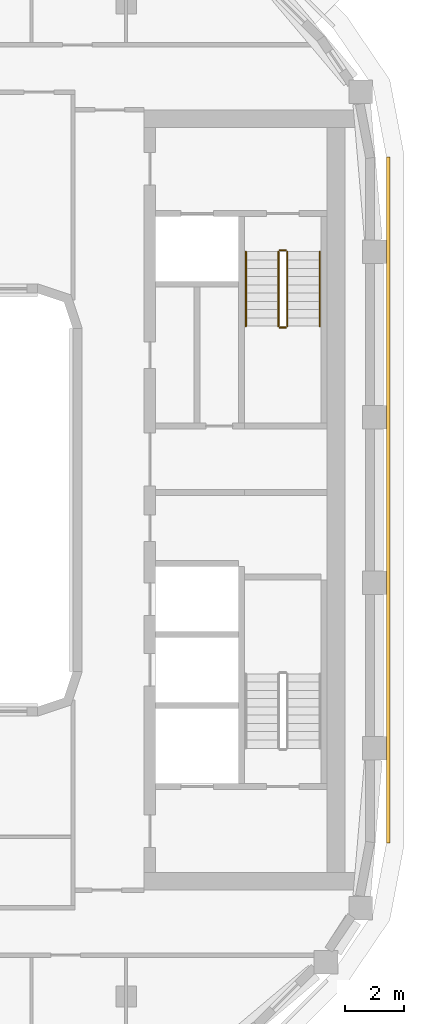
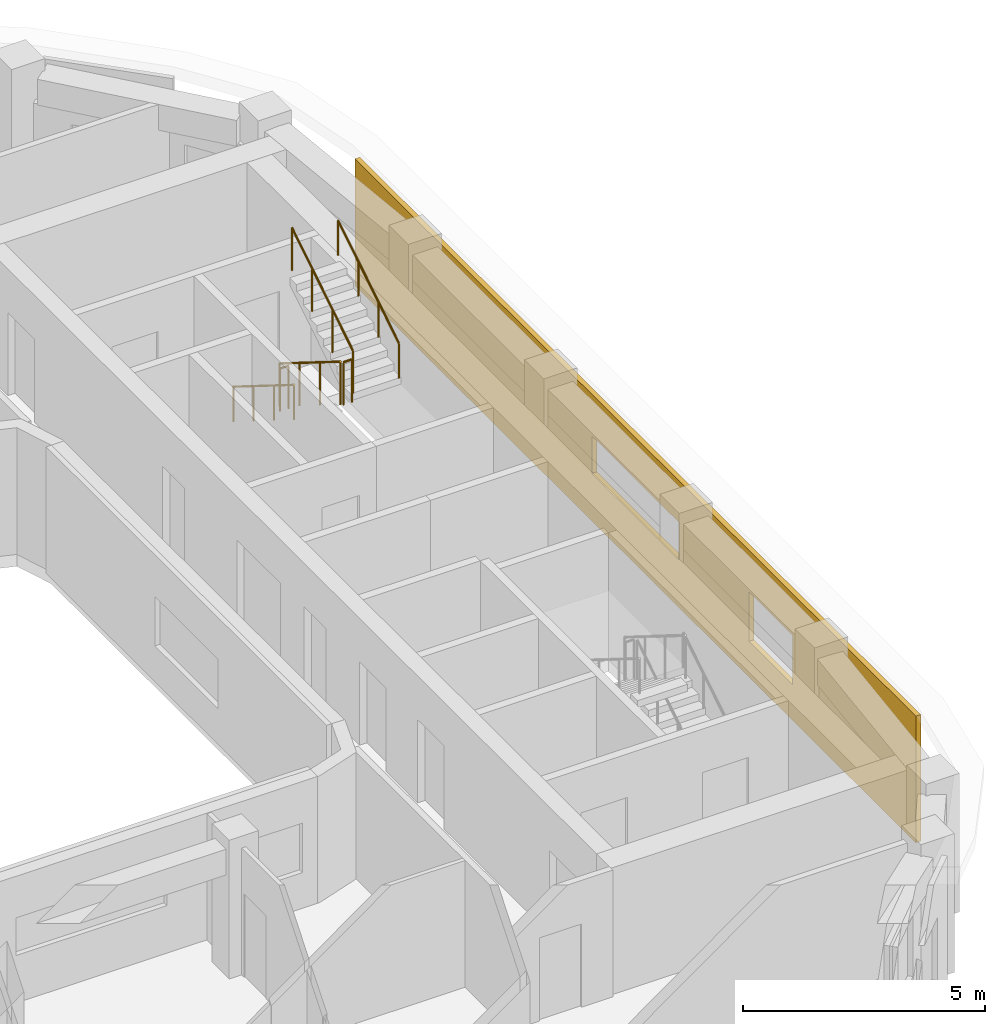
# One storey, part 17 of 18: 6 railings, 1 covering.
"""IFC4 building model written with IfcOpenShell, lengths in metres."""

from ifc_helpers import new_model, si_unit, direction, frame, origin, origin_2d, place, context, subcontext, project, spatial, polyline, circle, outline, extrude, material, layer, layer_set, type_object, element, save


model = new_model("IFC4")

# Units and contexts
model_context = context("Model", 3, precision=1e-05, world=origin(), true_north=direction((0.0, 1.0)))
body_context = subcontext(model_context, "Body", "Model", "MODEL_VIEW")
ifc_project = project(units=[si_unit("LENGTHUNIT", "METRE"), si_unit("AREAUNIT", "SQUARE_METRE"), si_unit("VOLUMEUNIT", "CUBIC_METRE"), si_unit("PLANEANGLEUNIT", "RADIAN"), si_unit("MASSUNIT", "GRAM", prefix="KILO")], contexts=[model_context])

# Site, building, storey
site_placement = place(None, origin())
site = spatial("IfcSite", under=ifc_project, at=site_placement, CompositionType="ELEMENT")
building_placement = place(site_placement, origin())
building = spatial("IfcBuilding", under=site, at=building_placement, Name="Kiln Ring Residences", CompositionType="ELEMENT")
storey_placement = place(building_placement, frame((0.0, 0.0, 262.699951171875)))
storey = spatial("IfcBuildingStorey", under=building, at=storey_placement, Name="L68", CompositionType="ELEMENT", Elevation=262.699951171875)

# Railings
ifc_material_1 = material(Name="Stainless steel", Category="steel")
railing_type_1 = type_object("IfcRailingType", Name="CORE-STAIR-GUARD", PredefinedType="GUARDRAIL", material=ifc_material_1)
railing_1_placement = place(storey_placement, frame((21.949951171875, 8.39990234375, 0.175048828125)))
element("IfcRailing", 1, at=railing_1_placement, inside=storey, type_object=railing_type_1, Name="L68 E-STN stair guard 1", PredefinedType="GUARDRAIL", context=body_context, shape_type="SweptSolid", body=[
    extrude(circle(Radius=0.02392578125, at=origin_2d()), frame((0.0, 0.0, 1.076171875), z_axis=(0.0, -0.848007534815, 0.529984170421), x_axis=(1.0, 0.0, 0.0)), (0.0, 0.0, 1.0), 2.9716796875),
    extrude(circle(Radius=0.02099609375, at=origin_2d()), origin(), (0.0, 0.0, 1.0), 1.052001953125),
    extrude(circle(Radius=0.02099609375, at=origin_2d()), frame((0.0, -0.840087890625, 0.52490234375)), (0.0, 0.0, 1.0), 1.052001953125),
    extrude(circle(Radius=0.02099609375, at=origin_2d()), frame((0.0, -1.679931640625, 1.050048828125)), (0.0, 0.0, 1.0), 1.052001953125),
    extrude(circle(Radius=0.02099609375, at=origin_2d()), frame((0.0, -2.52001953125, 1.574951171875)), (0.0, 0.0, 1.0), 1.052001953125),
])
railing_2_placement = place(storey_placement, frame((22.0, 5.830078125, 1.75)))
element("IfcRailing", 2, at=railing_2_placement, inside=storey, type_object=railing_type_1, Name="L68 E-STN stair guard 2", PredefinedType="GUARDRAIL", context=body_context, shape_type="SweptSolid", body=[
    extrude(circle(Radius=0.02392578125, at=origin_2d()), frame((0.0, 0.0, 1.076171875), z_axis=(1.0, 0.0, 0.0), x_axis=(0.0, 1.0, 0.0)), (0.0, 0.0, 1.0), 0.199951171875),
    extrude(circle(Radius=0.02099609375, at=origin_2d()), origin(), (0.0, 0.0, 1.0), 1.052001953125),
    extrude(circle(Radius=0.02099609375, at=origin_2d()), frame((0.199951171875, 0.0, 0.0)), (0.0, 0.0, 1.0), 1.052001953125),
])
railing_3_placement = place(storey_placement, frame((22.25, 5.8798828125, 1.925048828125)))
element("IfcRailing", 3, at=railing_3_placement, inside=storey, type_object=railing_type_1, Name="L68 E-STN stair guard 3", PredefinedType="GUARDRAIL", context=body_context, shape_type="SweptSolid", body=[
    extrude(circle(Radius=0.02392578125, at=origin_2d()), frame((0.0, 0.0, 1.076171875), z_axis=(0.0, 0.848007534815, 0.529984170421), x_axis=(-1.0, 0.0, 0.0)), (0.0, 0.0, 1.0), 2.9716796875),
    extrude(circle(Radius=0.02099609375, at=origin_2d()), origin(), (0.0, 0.0, 1.0), 1.052001953125),
    extrude(circle(Radius=0.02099609375, at=origin_2d()), frame((0.0, 0.840087890625, 0.52490234375)), (0.0, 0.0, 1.0), 1.052001953125),
    extrude(circle(Radius=0.02099609375, at=origin_2d()), frame((0.0, 1.679931640625, 1.050048828125)), (0.0, 0.0, 1.0), 1.052001953125),
    extrude(circle(Radius=0.02099609375, at=origin_2d()), frame((0.0, 2.52001953125, 1.574951171875)), (0.0, 0.0, 1.0), 1.052001953125),
])
railing_4_placement = place(storey_placement, frame((22.0, 8.449951171875, 0.0)))
element("IfcRailing", 4, at=railing_4_placement, inside=storey, type_object=railing_type_1, Name="L68 E-STN stair guard 4", PredefinedType="GUARDRAIL", context=body_context, shape_type="SweptSolid", body=[
    extrude(circle(Radius=0.02392578125, at=origin_2d()), frame((0.0, 0.0, 1.076171875), z_axis=(1.0, 0.0, 0.0), x_axis=(0.0, 1.0, 0.0)), (0.0, 0.0, 1.0), 0.199951171875),
    extrude(circle(Radius=0.02099609375, at=origin_2d()), origin(), (0.0, 0.0, 1.0), 1.052001953125),
    extrude(circle(Radius=0.02099609375, at=origin_2d()), frame((0.199951171875, 0.0, 0.0)), (0.0, 0.0, 1.0), 1.052001953125),
])
ifc_material_2 = material(Name="Stainless steel", Category="steel")
railing_type_2 = type_object("IfcRailingType", Name="CORE-STAIR-HANDRAIL", PredefinedType="HANDRAIL", material=ifc_material_2)
railing_5_placement = place(storey_placement, frame((20.85009765625, 8.39990234375, 0.175048828125)))
element("IfcRailing", 5, at=railing_5_placement, inside=storey, type_object=railing_type_2, Name="L68 E-STN stair handrail 1", PredefinedType="HANDRAIL", context=body_context, shape_type="SweptSolid", body=[
    extrude(circle(Radius=0.02392578125, at=origin_2d()), frame((0.0, 0.0, 0.8759765625), z_axis=(0.0, -0.848007534815, 0.529984170421), x_axis=(1.0, 0.0, 0.0)), (0.0, 0.0, 1.0), 2.9716796875),
    extrude(circle(Radius=0.02099609375, at=origin_2d()), origin(), (0.0, 0.0, 1.0), 0.851806640625),
    extrude(circle(Radius=0.02099609375, at=origin_2d()), frame((0.0, -0.840087890625, 0.52490234375)), (0.0, 0.0, 1.0), 0.851806640625),
    extrude(circle(Radius=0.02099609375, at=origin_2d()), frame((0.0, -1.679931640625, 1.050048828125)), (0.0, 0.0, 1.0), 0.851806640625),
    extrude(circle(Radius=0.02099609375, at=origin_2d()), frame((0.0, -2.52001953125, 1.574951171875)), (0.0, 0.0, 1.0), 0.851806640625),
])
railing_6_placement = place(storey_placement, frame((23.35009765625, 5.8798828125, 1.925048828125)))
element("IfcRailing", 6, at=railing_6_placement, inside=storey, type_object=railing_type_2, Name="L68 E-STN stair handrail 2", PredefinedType="HANDRAIL", context=body_context, shape_type="SweptSolid", body=[
    extrude(circle(Radius=0.02392578125, at=origin_2d()), frame((0.0, 0.0, 0.8759765625), z_axis=(0.0, 0.848007534815, 0.529984170421), x_axis=(-1.0, 0.0, 0.0)), (0.0, 0.0, 1.0), 2.9716796875),
    extrude(circle(Radius=0.02099609375, at=origin_2d()), origin(), (0.0, 0.0, 1.0), 0.851806640625),
    extrude(circle(Radius=0.02099609375, at=origin_2d()), frame((0.0, 0.840087890625, 0.52490234375)), (0.0, 0.0, 1.0), 0.851806640625),
    extrude(circle(Radius=0.02099609375, at=origin_2d()), frame((0.0, 1.679931640625, 1.050048828125)), (0.0, 0.0, 1.0), 0.851806640625),
    extrude(circle(Radius=0.02099609375, at=origin_2d()), frame((0.0, 2.52001953125, 1.574951171875)), (0.0, 0.0, 1.0), 0.851806640625),
])

# Covering
ifc_material_3 = material(Name="Brick masonry, dark clay brick", Category="masonry")
ifc_layer = layer(ifc_material_3, 0.1201171875)
ifc_layer_set = layer_set([ifc_layer], Name="RAINSCREEN PANEL 120")
covering_type = type_object("IfcCoveringType", Name="RAINSCREEN PANEL 120", PredefinedType="CLADDING", material=ifc_layer_set)
covering_placement = place(storey_placement, frame((25.659912109375, -11.60009765625, 0.0), z_axis=(0.0, 0.0, 1.0), x_axis=(0.0, 1.0, 0.0)))
element("IfcCovering", 7, at=covering_placement, inside=storey, type_object=covering_type, Name="RAINSCREEN L68", PredefinedType="CLADDING", context=body_context, shape_type="SweptSolid", body=[
    extrude(outline(polyline([(0.0, 0.0), (23.199951171875, 0.0), (23.199951171875, 3.199951171875), (0.0, 3.199951171875), (0.0, 0.0)]), holes=[polyline([(6.89990234375, 2.150146484375), (5.10009765625, 2.150146484375), (5.10009765625, 0.900146484375), (6.89990234375, 0.900146484375), (6.89990234375, 2.150146484375)]), polyline([(13.39990234375, 2.150146484375), (9.800048828125, 2.150146484375), (9.800048828125, 1.199951171875), (13.39990234375, 1.199951171875), (13.39990234375, 2.150146484375)])]), frame((0.0, 0.06005859375, 0.0), z_axis=(0.0, -1.0, 0.0), x_axis=(1.0, 0.0, 0.0)), (0.0, 0.0, 1.0), 0.1201171875),
])

save(model, "model.ifc")
